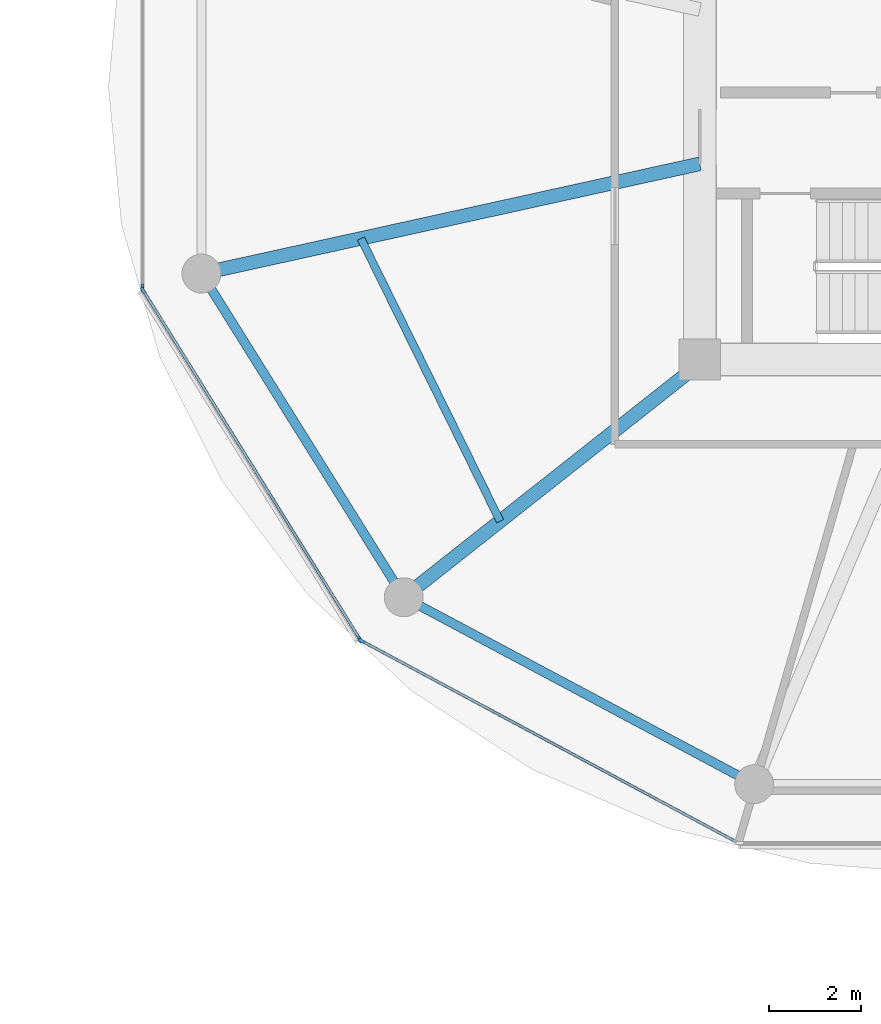
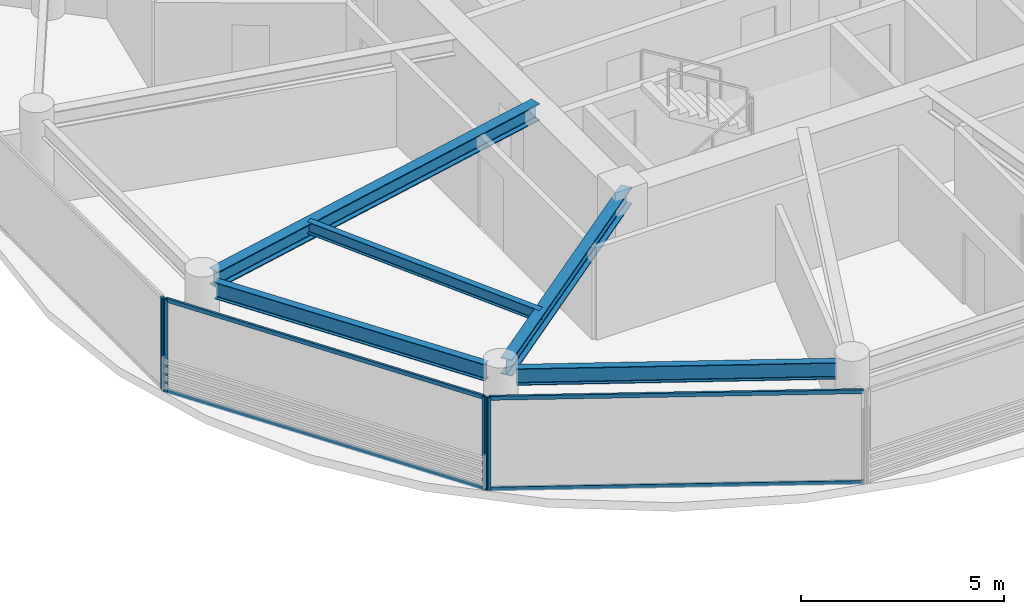
# One storey, part 6 of 24: 8 members, 5 beams, 3 elements without a shape of their own.
"""IFC4 building model written with IfcOpenShell, lengths in metres."""

from ifc_helpers import new_model, si_unit, direction, frame, origin, origin_2d, place, context, subcontext, project, spatial, rectangle, i_section, extrude, source, transform, mapped, material, layer, layer_set, material_profile, profile_set, type_object, type_shapes, element, aggregate, save


model = new_model("IFC4")

# Units and contexts
model_context = context("Model", 3, precision=1e-05, world=origin(), true_north=direction((0.0, 1.0)))
body_context = subcontext(model_context, "Body", "Model", "MODEL_VIEW")
ifc_project = project(units=[si_unit("LENGTHUNIT", "METRE"), si_unit("AREAUNIT", "SQUARE_METRE"), si_unit("VOLUMEUNIT", "CUBIC_METRE"), si_unit("PLANEANGLEUNIT", "RADIAN"), si_unit("MASSUNIT", "GRAM", prefix="KILO")], contexts=[model_context])

# Site, building, storey
site_placement = place(None, origin())
site = spatial("IfcSite", under=ifc_project, at=site_placement, CompositionType="ELEMENT")
building_placement = place(site_placement, origin())
building = spatial("IfcBuilding", under=site, at=building_placement, Name="Norrkilde Senior Care Towers", CompositionType="ELEMENT")
storey_placement = place(building_placement, frame((0.0, 0.0, 117.60009765625)))
storey = spatial("IfcBuildingStorey", under=building, at=storey_placement, Name="L36", CompositionType="ELEMENT", Elevation=117.60009765625)

# Beams
ifc_material_1 = material(Name="Steel S355", Category="steel")
ifc_material_profile_1 = material_profile(ifc_material_1, i_section(OverallWidth=0.199951171875, OverallDepth=0.5, WebThickness=0.01025390625, FlangeThickness=0.01611328125, FilletRadius=0.02099609375, at=origin_2d()), Name="IPE 500")
ifc_profile_set_1 = profile_set([ifc_material_profile_1], Name="Steel S355")
beam_type_1 = type_object("IfcBeamType", Name="Perimeter Ring Spandrel Z2 IPE500", PredefinedType="SPANDREL", material=ifc_profile_set_1)
shared_shape_1 = source(origin(), body_context, "Body", "SweptSolid", [
    extrude(i_section(OverallWidth=0.199951171875, OverallDepth=0.5, WebThickness=0.01025390625, FlangeThickness=0.01611328125, FilletRadius=0.02099609375, at=origin_2d()), origin(), (0.0, 0.0, 1.0), 7.55615234375),
])
beam_1_placement = place(storey_placement, frame((9.68505859375, -4.40283203125, 2.539794921875), z_axis=(0.529981514254, -0.848009194849, 0.0), x_axis=(0.848009194849, 0.529981514254, 0.0)))
element("IfcBeam", 1, at=beam_1_placement, inside=storey, type_object=beam_type_1, Name="L36 Drum E Perimeter Spandrel 07", PredefinedType="SPANDREL", context=body_context, shape_type="MappedRepresentation", body=[
    mapped(shared_shape_1, transform((0.0, 0.0, 0.0), x_axis=(1.0, 0.0, 0.0), y_axis=(0.0, 1.0, 0.0), z_axis=(0.0, 0.0, 1.0), scale=1.0)),
])
ifc_material_profile_2 = material_profile(ifc_material_1, i_section(OverallWidth=0.300048828125, OverallDepth=0.5, WebThickness=0.014404296875, FlangeThickness=0.028076171875, FilletRadius=0.027099609375, at=origin_2d()), Name="HEB 500")
ifc_profile_set_2 = profile_set([ifc_material_profile_2], Name="Steel S355")
beam_type_2 = type_object("IfcBeamType", Name="Radial Floor Beam Z2 HEB500", PredefinedType="BEAM", material=ifc_profile_set_2)
shared_shape_2 = source(origin(), body_context, "Body", "SweptSolid", [
    extrude(i_section(OverallWidth=0.300048828125, OverallDepth=0.5, WebThickness=0.014404296875, FlangeThickness=0.028076171875, FilletRadius=0.027099609375, at=origin_2d()), origin(), (0.0, 0.0, 1.0), 10.744384765625),
])
beam_2_placement = place(storey_placement, frame((20.35009765625, -1.683837890625, 2.539794921875), z_axis=(-0.976618711422, -0.214978818724, 0.0), x_axis=(0.214978818724, -0.976618711422, 0.0)))
element("IfcBeam", 2, at=beam_2_placement, inside=storey, type_object=beam_type_2, Name="L36 Drum E Radial Floor Beam 07", PredefinedType="BEAM", context=body_context, shape_type="MappedRepresentation", body=[
    mapped(shared_shape_2, transform((0.0, 0.0, 0.0), x_axis=(1.0, 0.0, 0.0), y_axis=(0.0, 1.0, 0.0), z_axis=(0.0, 0.0, 1.0), scale=1.0)),
])
shared_shape_3 = source(origin(), body_context, "Body", "SweptSolid", [
    extrude(i_section(OverallWidth=0.199951171875, OverallDepth=0.5, WebThickness=0.01025390625, FlangeThickness=0.01611328125, FilletRadius=0.02099609375, at=origin_2d()), origin(), (0.0, 0.0, 1.0), 7.892333984375),
])
type_shapes(beam_type_1, [shared_shape_1, shared_shape_3])
beam_3_placement = place(storey_placement, frame((14.233642578125, -11.318115234375, 2.539794921875), z_axis=(0.882350372282, -0.47059305194, 0.0), x_axis=(0.47059305194, 0.882350372282, 0.0)))
element("IfcBeam", 3, at=beam_3_placement, inside=storey, type_object=beam_type_1, Name="L36 Drum E Perimeter Spandrel 08", PredefinedType="SPANDREL", context=body_context, shape_type="MappedRepresentation", body=[
    mapped(shared_shape_3, transform((0.0, 0.0, 0.0), x_axis=(1.0, 0.0, 0.0), y_axis=(0.0, 1.0, 0.0), z_axis=(0.0, 0.0, 1.0), scale=1.0)),
])
shared_shape_4 = source(origin(), body_context, "Body", "SweptSolid", [
    extrude(i_section(OverallWidth=0.300048828125, OverallDepth=0.5, WebThickness=0.014404296875, FlangeThickness=0.028076171875, FilletRadius=0.027099609375, at=origin_2d()), origin(), (0.0, 0.0, 1.0), 7.985595703125),
])
type_shapes(beam_type_2, [shared_shape_2, shared_shape_4])
beam_4_placement = place(storey_placement, frame((20.463623046875, -5.949951171875, 2.539794921875), z_axis=(-0.784858505144, -0.619675017169, 0.0), x_axis=(0.619675017169, -0.784858505144, 0.0)))
element("IfcBeam", 4, at=beam_4_placement, inside=storey, type_object=beam_type_2, Name="L36 Drum E Radial Floor Beam 08", PredefinedType="BEAM", context=body_context, shape_type="MappedRepresentation", body=[
    mapped(shared_shape_4, transform((0.0, 0.0, 0.0), x_axis=(1.0, 0.0, 0.0), y_axis=(0.0, 1.0, 0.0), z_axis=(0.0, 0.0, 1.0), scale=1.0)),
])
ifc_material_profile_3 = material_profile(ifc_material_1, i_section(OverallWidth=0.169921875, OverallDepth=0.360107421875, WebThickness=0.008056640625, FlangeThickness=0.0126953125, FilletRadius=0.01806640625, at=origin_2d()), Name="IPE 360")
ifc_profile_set_3 = profile_set([ifc_material_profile_3], Name="Steel S355")
beam_type_3 = type_object("IfcBeamType", Name="Secondary Floor Joist IPE360", PredefinedType="JOIST", material=ifc_profile_set_3)
shared_shape_5 = source(origin(), body_context, "Body", "SweptSolid", [
    extrude(i_section(OverallWidth=0.169921875, OverallDepth=0.360107421875, WebThickness=0.008056640625, FlangeThickness=0.0126953125, FilletRadius=0.01806640625, at=origin_2d()), origin(), (0.0, 0.0, 1.0), 6.87353515625),
])
type_shapes(beam_type_3, [shared_shape_5])
beam_5_placement = place(storey_placement, frame((12.958984375, -3.310791015625, 2.60986328125), z_axis=(0.44184939592, -0.897089243791, 0.0), x_axis=(0.897089243791, 0.44184939592, 0.0)))
element("IfcBeam", 5, at=beam_5_placement, inside=storey, type_object=beam_type_3, Name="L36 Drum E Secondary Floor Joist 3", PredefinedType="JOIST", context=body_context, shape_type="MappedRepresentation", body=[
    mapped(shared_shape_5, transform((0.0, 0.0, 0.0), x_axis=(1.0, 0.0, 0.0), y_axis=(0.0, 1.0, 0.0), z_axis=(0.0, 0.0, 1.0), scale=1.0)),
])

# Curtain wall, member
ifc_material_2 = material(Name="Triple Low-E Insulated Glazing", Category="glass")
ifc_layer = layer(ifc_material_2, 0.195068359375)
ifc_layer_set = layer_set([ifc_layer], Name="Triple Low-E Insulated Glazing")
curtain_wall_type = type_object("IfcCurtainWallType", Name="CW3 Zone 2 Assisted Living Curtain Wall", PredefinedType="NOTDEFINED", material=ifc_layer_set)
curtain_wall_1_placement = place(storey_placement, origin())
curtain_wall_1 = element("IfcCurtainWall", 6, at=curtain_wall_1_placement, inside=storey, type_object=curtain_wall_type, Name="L36 Drum E Curtain Wall 05", PredefinedType="NOTDEFINED")
ifc_material_3 = material(Name="Anodised Aluminium", Category="aluminium")
ifc_material_profile_4 = material_profile(ifc_material_3, rectangle(XDim=0.06494140625, YDim=0.159912109375, at=origin_2d()), Name="ALU MULL 65x160")
ifc_profile_set_4 = profile_set([ifc_material_profile_4], Name="Anodised Aluminium")
member_type_1 = type_object("IfcMemberType", Name="Curtain Wall Mullion Z1-Z2 65x160", PredefinedType="MULLION", material=ifc_profile_set_4)
shared_shape_6 = source(origin(), body_context, "Body", "SweptSolid", [
    extrude(rectangle(XDim=0.06494140625, YDim=0.159912109375, at=origin_2d()), origin(), (0.0, 0.0, 1.0), 2.789794921875),
])
type_shapes(member_type_1, [shared_shape_6])
member_1_placement = place(storey_placement, frame((8.1962890625, -4.38818359375, 0.0), z_axis=(0.0, 0.0, 1.0), x_axis=(-1.0, 0.0, 0.0)))
member_1 = element("IfcMember", 7, at=member_1_placement, type_object=member_type_1, Name="CW-3 mullion 1", PredefinedType="MULLION", context=body_context, shape_type="MappedRepresentation", body=[
    mapped(shared_shape_6, transform((0.0, 0.0, 0.0), x_axis=(1.0, 0.0, 0.0), y_axis=(0.0, 1.0, 0.0), z_axis=(0.0, 0.0, 1.0), scale=1.0)),
])
aggregate(curtain_wall_1, [member_1])

# Curtain wall, members
curtain_wall_2_placement = place(storey_placement, origin())
curtain_wall_2 = element("IfcCurtainWall", 8, at=curtain_wall_2_placement, inside=storey, type_object=curtain_wall_type, Name="L36 Drum E Curtain Wall 06", PredefinedType="NOTDEFINED")
member_2_placement = place(storey_placement, frame((12.936279296875, -12.0498046875, 0.0), z_axis=(0.0, 0.0, 1.0), x_axis=(-0.849410171862, -0.527733228002, 0.0)))
member_2 = element("IfcMember", 9, at=member_2_placement, type_object=member_type_1, Name="CW-3 mullion 1", PredefinedType="MULLION", context=body_context, shape_type="MappedRepresentation", body=[
    mapped(shared_shape_6, transform((0.0, 0.0, 0.0), x_axis=(1.0, 0.0, 0.0), y_axis=(0.0, 1.0, 0.0), z_axis=(0.0, 0.0, 1.0), scale=1.0)),
])
member_3_placement = place(storey_placement, frame((8.21337890625, -4.4482421875, 0.0), z_axis=(0.0, 0.0, 1.0), x_axis=(-0.849410171862, -0.527733228002, 0.0)))
member_3 = element("IfcMember", 10, at=member_3_placement, type_object=member_type_1, Name="CW-3 mullion 2", PredefinedType="MULLION", context=body_context, shape_type="MappedRepresentation", body=[
    mapped(shared_shape_6, transform((0.0, 0.0, 0.0), x_axis=(1.0, 0.0, 0.0), y_axis=(0.0, 1.0, 0.0), z_axis=(0.0, 0.0, 1.0), scale=1.0)),
])

# Curtain wall, member
curtain_wall_3_placement = place(storey_placement, origin())
curtain_wall_3 = element("IfcCurtainWall", 11, at=curtain_wall_3_placement, inside=storey, type_object=curtain_wall_type, Name="L36 Drum E Curtain Wall 07", PredefinedType="NOTDEFINED")
member_4_placement = place(storey_placement, frame((12.98193359375, -12.0927734375, 0.0), z_axis=(0.0, 0.0, 1.0), x_axis=(-0.472769402511, -0.881186184668, 0.0)))
member_4 = element("IfcMember", 12, at=member_4_placement, type_object=member_type_1, Name="CW-3 mullion 2", PredefinedType="MULLION", context=body_context, shape_type="MappedRepresentation", body=[
    mapped(shared_shape_6, transform((0.0, 0.0, 0.0), x_axis=(1.0, 0.0, 0.0), y_axis=(0.0, 1.0, 0.0), z_axis=(0.0, 0.0, 1.0), scale=1.0)),
])

# Member
ifc_material_profile_5 = material_profile(ifc_material_3, rectangle(XDim=0.06005859375, YDim=0.1201171875, at=origin_2d()), Name="ALU TRAN 60x120")
ifc_profile_set_5 = profile_set([ifc_material_profile_5], Name="Anodised Aluminium")
member_type_2 = type_object("IfcMemberType", Name="Curtain Wall Transom Typical 60x120", PredefinedType="USERDEFINED", material=ifc_profile_set_5)
shared_shape_7 = source(origin(), body_context, "Body", "SweptSolid", [
    extrude(rectangle(XDim=0.06005859375, YDim=0.1201171875, at=origin_2d()), origin(), (0.0, 0.0, 1.0), 8.88427734375),
])
member_5_placement = place(storey_placement, frame((12.919189453125, -12.022216796875, 0.02978515625), z_axis=(-0.527749293309, 0.849400190377, 0.0), x_axis=(-0.849400190377, -0.527749293309, 0.0)))
member_5 = element("IfcMember", 13, at=member_5_placement, type_object=member_type_2, Name="CW-3 transom 1.1", ObjectType="TRANSOM", PredefinedType="USERDEFINED", context=body_context, shape_type="MappedRepresentation", body=[
    mapped(shared_shape_7, transform((0.0, 0.0, 0.0), x_axis=(1.0, 0.0, 0.0), y_axis=(0.0, 1.0, 0.0), z_axis=(0.0, 0.0, 1.0), scale=1.0)),
])

member_6_placement = place(storey_placement, frame((12.919189453125, -12.022216796875, 2.760009765625), z_axis=(-0.527749293309, 0.849400190377, 0.0), x_axis=(-0.849400190377, -0.527749293309, 0.0)))
member_6 = element("IfcMember", 14, at=member_6_placement, type_object=member_type_2, Name="CW-3 transom 1.2", ObjectType="TRANSOM", PredefinedType="USERDEFINED", context=body_context, shape_type="MappedRepresentation", body=[
    mapped(shared_shape_7, transform((0.0, 0.0, 0.0), x_axis=(1.0, 0.0, 0.0), y_axis=(0.0, 1.0, 0.0), z_axis=(0.0, 0.0, 1.0), scale=1.0)),
])

aggregate(curtain_wall_2, [member_2, member_3, member_5, member_6])

shared_shape_8 = source(origin(), body_context, "Body", "SweptSolid", [
    extrude(rectangle(XDim=0.06005859375, YDim=0.1201171875, at=origin_2d()), origin(), (0.0, 0.0, 1.0), 9.220458984375),
])
type_shapes(member_type_2, [shared_shape_7, shared_shape_8])
member_7_placement = place(storey_placement, frame((21.1357421875, -16.46728515625, 0.02978515625), z_axis=(-0.881188517866, 0.472765053681, 0.0), x_axis=(-0.472765053681, -0.881188517866, 0.0)))
member_7 = element("IfcMember", 15, at=member_7_placement, type_object=member_type_2, Name="CW-3 transom 1.1", ObjectType="TRANSOM", PredefinedType="USERDEFINED", context=body_context, shape_type="MappedRepresentation", body=[
    mapped(shared_shape_8, transform((0.0, 0.0, 0.0), x_axis=(1.0, 0.0, 0.0), y_axis=(0.0, 1.0, 0.0), z_axis=(0.0, 0.0, 1.0), scale=1.0)),
])

member_8_placement = place(storey_placement, frame((21.1357421875, -16.46728515625, 2.760009765625), z_axis=(-0.881188517866, 0.472765053681, 0.0), x_axis=(-0.472765053681, -0.881188517866, 0.0)))
member_8 = element("IfcMember", 16, at=member_8_placement, type_object=member_type_2, Name="CW-3 transom 1.2", ObjectType="TRANSOM", PredefinedType="USERDEFINED", context=body_context, shape_type="MappedRepresentation", body=[
    mapped(shared_shape_8, transform((0.0, 0.0, 0.0), x_axis=(1.0, 0.0, 0.0), y_axis=(0.0, 1.0, 0.0), z_axis=(0.0, 0.0, 1.0), scale=1.0)),
])

aggregate(curtain_wall_3, [member_4, member_7, member_8])

save(model, "model.ifc")
